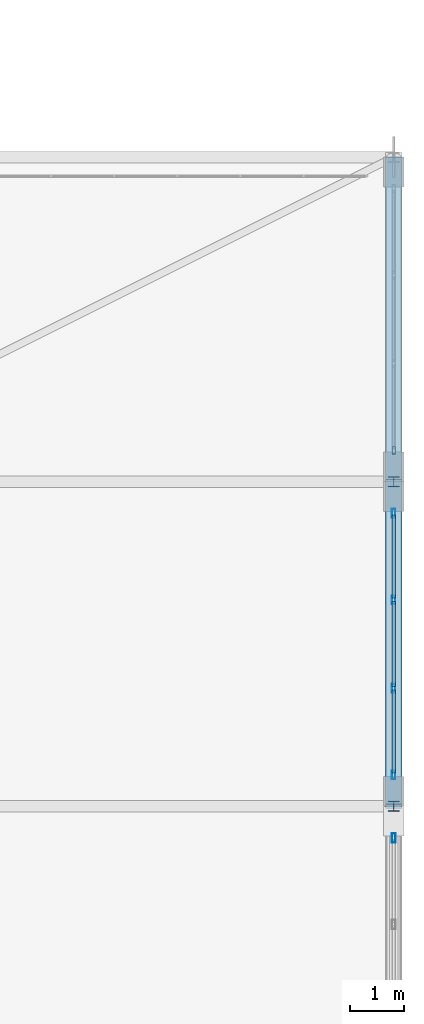
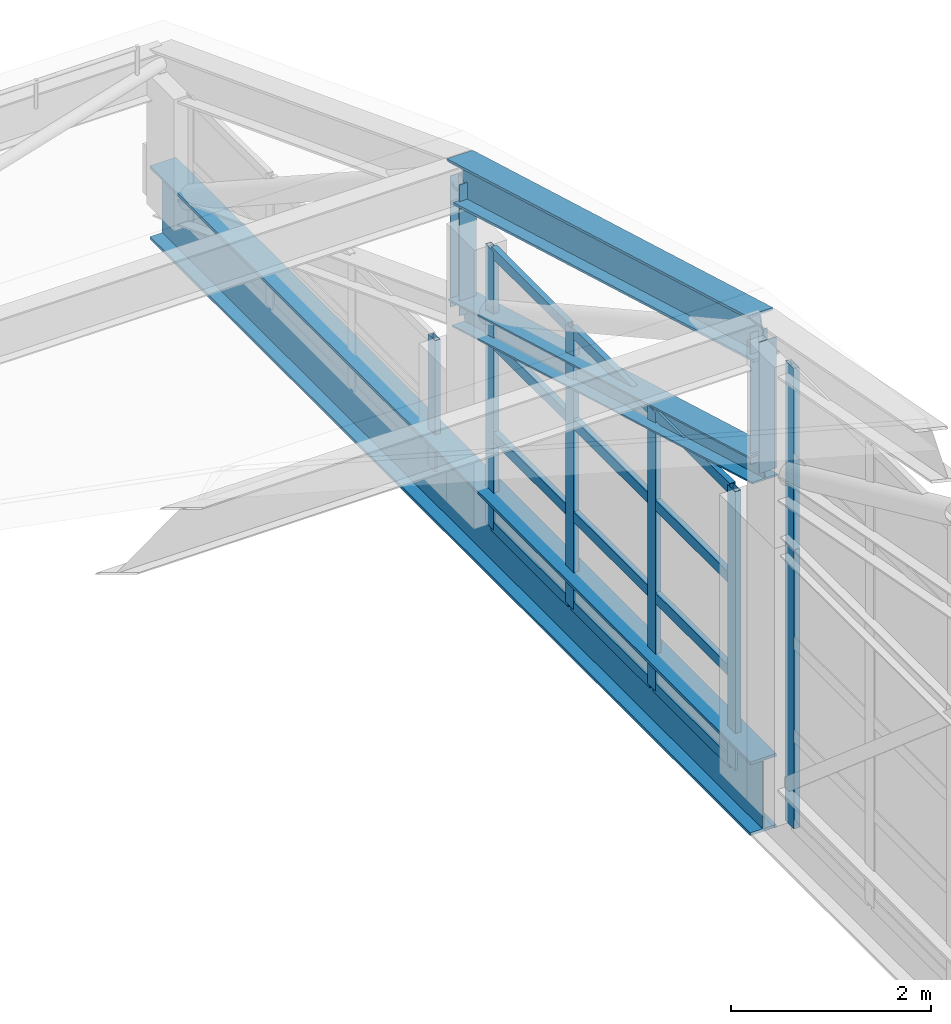
# One storey, part 156 of 204: 24 members, 4 elements without a shape of their own.
"""IFC4 building model written with IfcOpenShell, lengths in metres."""

import ifcopenshell
import ifcopenshell.guid

model = None  # the IFC model being written
_history = None  # IfcOwnerHistory: only IFC2X3 demands one
_inside = {}  # id of a spatial element -> (the spatial element, [elements in it])
_under = {}  # id of a project, library or spatial element -> (it, [spatial elements below it])
_declared = {}  # id of a project -> (the project, [libraries it declares])
_typed = {}  # id of a type object -> (the type object, [elements of that type])
_made_of = {}  # id of a material, layer set ... -> (it, [elements and type objects made of it])


def new_model(schema):
    """Start an empty IFC model of exactly this schema.

    Asked for "IFC4X3", IfcOpenShell would pick the latest addendum, in which some entities
    have other attributes; the version numbers below select the first issue.
    IFC2X3 requires an IfcOwnerHistory on every rooted entity: one is made here for all.
    """
    global model, _history
    if schema == "IFC4X3":
        model = ifcopenshell.file(schema_version=(4, 3, 0, 0))
    else:
        model = ifcopenshell.file(schema=schema)
    _inside.clear()
    _under.clear()
    _declared.clear()
    _typed.clear()
    _made_of.clear()
    _history = None
    if model.schema == "IFC2X3":
        org = make("IfcOrganization", Name="unknown")
        user = make(
            "IfcPersonAndOrganization",
            ThePerson=make("IfcPerson", FamilyName="unknown"),
            TheOrganization=org,
        )
        app = make(
            "IfcApplication",
            ApplicationDeveloper=org,
            Version="unknown",
            ApplicationFullName="unknown",
            ApplicationIdentifier="unknown",
        )
        _history = make(
            "IfcOwnerHistory",
            OwningUser=user,
            OwningApplication=app,
            ChangeAction="ADDED",
            CreationDate=0,
        )
    return model


def make(cls, **values):
    """One entity of the class cls with the attributes given. An attribute that is None is left unset."""
    return model.create_entity(
        cls, **{name: value for name, value in values.items() if value is not None}
    )


def rooted(cls, **values):
    """An entity with a GlobalId (a new one), such as an element, a storey or a relation."""
    return make(cls, GlobalId=ifcopenshell.guid.new(), OwnerHistory=_history, **values)


def si_unit(unit_type, name, prefix=None):
    """IfcSIUnit, for example si_unit("LENGTHUNIT", "METRE", prefix="MILLI")."""
    return make("IfcSIUnit", UnitType=unit_type, Prefix=prefix, Name=name)


def assignment(units):
    """IfcUnitAssignment: the units of a project."""
    return None if units is None else make("IfcUnitAssignment", Units=units)


def point(xyz):
    """IfcCartesianPoint."""
    return None if xyz is None else make("IfcCartesianPoint", Coordinates=xyz)


def direction(xyz):
    """IfcDirection."""
    return None if xyz is None else make("IfcDirection", DirectionRatios=xyz)


def frame(location, z_axis=None, x_axis=None):
    """IfcAxis2Placement3D, a coordinate frame: its origin and axes. An axis left out is left unset."""
    return make(
        "IfcAxis2Placement3D",
        Location=point(location),
        Axis=direction(z_axis),
        RefDirection=direction(x_axis),
    )


def frame_2d(location, x_axis=None):
    """IfcAxis2Placement2D, a coordinate frame in the plane: its origin and x axis."""
    return make(
        "IfcAxis2Placement2D", Location=point(location), RefDirection=direction(x_axis)
    )


def origin():
    """The frame at (0, 0, 0) with its axes left unset."""
    return frame((0.0, 0.0, 0.0))


def origin_2d():
    """The frame at (0, 0) in the plane with its x axis left unset."""
    return frame_2d((0.0, 0.0))


def place(relative_to, where):
    """IfcLocalPlacement: puts the frame where relative to a parent placement (None: the world)."""
    return make(
        "IfcLocalPlacement", PlacementRelTo=relative_to, RelativePlacement=where
    )


def context(
    kind, dimensions, precision=None, world=None, true_north=None, identifier=None
):
    """IfcGeometricRepresentationContext, for example the 3D "Model" context."""
    return make(
        "IfcGeometricRepresentationContext",
        ContextIdentifier=identifier,
        ContextType=kind,
        CoordinateSpaceDimension=dimensions,
        Precision=precision,
        WorldCoordinateSystem=world,
        TrueNorth=true_north,
    )


def subcontext(parent, identifier, kind, view, scale=None):
    """IfcGeometricRepresentationSubContext, for example "Body" below "Model"."""
    return make(
        "IfcGeometricRepresentationSubContext",
        ContextIdentifier=identifier,
        ContextType=kind,
        ParentContext=parent,
        TargetScale=scale,
        TargetView=view,
    )


def project(units=None, contexts=None):
    """IfcProject with its units and contexts."""
    return rooted(
        "IfcProject",
        Name="project",
        RepresentationContexts=contexts,
        UnitsInContext=assignment(units),
    )


def spatial(cls, under=None, at=None, **own):
    """A site, building, storey or space (cls), placed at a placement, below another one or the project."""
    s = rooted(cls, ObjectPlacement=at, **own)
    if under is not None:
        _under.setdefault(under.id(), (under, []))[1].append(s)
    return s


def profile(cls, at=None, kind="AREA", **sizes):
    """A parametric profile (cls). Its sizes go by their IFC names, for example OverallWidth=200.0."""
    return make(cls, ProfileType=kind, Position=at, **sizes)


def hollow_rectangle(**sizes):
    """IfcRectangleHollowProfileDef."""
    return profile("IfcRectangleHollowProfileDef", **sizes)


def i_section(**sizes):
    """IfcIShapeProfileDef."""
    return profile("IfcIShapeProfileDef", **sizes)


def extrude(swept, where, along, depth):
    """IfcExtrudedAreaSolid: the profile swept, set in the frame where, extruded along a direction by depth."""
    return make(
        "IfcExtrudedAreaSolid",
        SweptArea=swept,
        Position=where,
        ExtrudedDirection=direction(along),
        Depth=depth,
    )


def shape(context_of_items, identifier, shape_type, items):
    """IfcShapeRepresentation: the items that make up one representation, for example the "Body"."""
    return make(
        "IfcShapeRepresentation",
        ContextOfItems=context_of_items,
        RepresentationIdentifier=identifier,
        RepresentationType=shape_type,
        Items=items,
    )


def material(Name=None, Category=None):
    """IfcMaterial."""
    return make("IfcMaterial", Name=Name, Category=Category)


def layer(
    of_material, thickness, ventilated=None, Name=None, Category=None, Priority=None
):
    """IfcMaterialLayer: one layer of a wall or slab, of a material (None: an air gap)."""
    return make(
        "IfcMaterialLayer",
        Material=of_material,
        LayerThickness=thickness,
        IsVentilated=ventilated,
        Name=Name,
        Category=Category,
        Priority=Priority,
    )


def layer_set(layers, Name=None):
    """IfcMaterialLayerSet."""
    return make("IfcMaterialLayerSet", MaterialLayers=layers, LayerSetName=Name)


def material_profile(
    of_material, cross_section, Name=None, Category=None, Priority=None
):
    """IfcMaterialProfile: a cross section and its material."""
    return make(
        "IfcMaterialProfile",
        Name=Name,
        Material=of_material,
        Profile=cross_section,
        Priority=Priority,
        Category=Category,
    )


def profile_set(profiles, Name=None, composite=None):
    """IfcMaterialProfileSet."""
    return make(
        "IfcMaterialProfileSet",
        Name=Name,
        MaterialProfiles=profiles,
        CompositeProfile=composite,
    )


def made_of(thing, what):
    """Note that an element or type object is made of a material, layer set ...; save() writes the relation."""
    if what is not None:
        _made_of.setdefault(what.id(), (what, []))[1].append(thing)
    return thing


def type_object(cls, material=None, **own):
    """A type object (cls), such as IfcWallType, which elements share."""
    return made_of(rooted(cls, **own), material)


def element(
    cls,
    number,
    at=None,
    inside=None,
    cuts=None,
    type_object=None,
    material=None,
    context=None,
    identifier="Body",
    shape_type=None,
    held_by="IfcProductDefinitionShape",
    body=None,
    shapes=None,
    **own,
):
    """One element of the class cls, such as IfcWall. Its Tag is "e" and its number.

    at: its placement. inside: the storey or other place that contains it. cuts: it is an
    opening in that element (IfcRelVoidsElement). A single representation is given by context,
    identifier, shape_type and body (its items); several are given by shapes. held_by: the class
    of the entity that holds the representations. save() writes the other relations.
    """
    e = rooted(cls, Tag="e%d" % number, ObjectPlacement=at, **own)
    if body is not None:
        shapes = [shape(context, identifier, shape_type, body)]
    if shapes is not None:
        e.Representation = make(held_by, Representations=shapes)
    if inside is not None:
        _inside.setdefault(inside.id(), (inside, []))[1].append(e)
    if cuts is not None:
        rooted(
            "IfcRelVoidsElement", RelatingBuildingElement=cuts, RelatedOpeningElement=e
        )
    if type_object is not None:
        _typed.setdefault(type_object.id(), (type_object, []))[1].append(e)
    return made_of(e, material)


def aggregate(whole, parts):
    """IfcRelAggregates: a whole, such as a stair, and the parts it consists of."""
    return rooted("IfcRelAggregates", RelatingObject=whole, RelatedObjects=parts)


def save(model, path):
    """Write the relations noted so far, then the file.

    IfcRelAggregates (storeys below a building ...), IfcRelContainedInSpatialStructure (elements
    in a storey), IfcRelDefinesByType, IfcRelAssociatesMaterial and IfcRelDeclares: one each for
    every whole, place, type object, material and project.
    """
    for whole, parts in _under.values():
        aggregate(whole, parts)
    for where, things in _inside.values():
        rooted(
            "IfcRelContainedInSpatialStructure",
            RelatedElements=things,
            RelatingStructure=where,
        )
    for kind, things in _typed.values():
        rooted("IfcRelDefinesByType", RelatedObjects=things, RelatingType=kind)
    for what, things in _made_of.values():
        rooted("IfcRelAssociatesMaterial", RelatedObjects=things, RelatingMaterial=what)
    for by, libraries in _declared.values():
        rooted("IfcRelDeclares", RelatingContext=by, RelatedDefinitions=libraries)
    model.write(path)


model = new_model("IFC4")

# Units and contexts
model_context = context("Model", 3, precision=1e-05, world=origin(), true_north=direction((0.0, 1.0)))
body_context = subcontext(model_context, "Body", "Model", "MODEL_VIEW")
ifc_project = project(units=[si_unit("LENGTHUNIT", "METRE"), si_unit("AREAUNIT", "SQUARE_METRE"), si_unit("VOLUMEUNIT", "CUBIC_METRE"), si_unit("PLANEANGLEUNIT", "RADIAN"), si_unit("MASSUNIT", "GRAM", prefix="KILO")], contexts=[model_context])

# Site, building, storey
site_placement = place(None, origin())
site = spatial("IfcSite", under=ifc_project, at=site_placement, CompositionType="ELEMENT")
building_placement = place(site_placement, origin())
building = spatial("IfcBuilding", under=site, at=building_placement, Name="Zilviju Railside Exhibition Hall", CompositionType="ELEMENT")
storey_placement = place(building_placement, frame((0.0, 0.0, 21.0)))
storey = spatial("IfcBuildingStorey", under=building, at=storey_placement, Name="RF", CompositionType="ELEMENT", Elevation=21.0)

# Curtain wall, member
ifc_material_1 = material(Name="Thermally broken aluminium-steel triple-glazed curtain wall", Category="steel")
ifc_layer_1 = layer(ifc_material_1, 0.179931640625)
ifc_layer_set_1 = layer_set([ifc_layer_1], Name="Thermally broken aluminium-steel triple-glazed curtain wall")
curtain_wall_type_1 = type_object("IfcCurtainWallType", Name="CW-BAY-01", PredefinedType="USERDEFINED", material=ifc_layer_set_1)
curtain_wall_1_placement = place(storey_placement, origin())
curtain_wall_1 = element("IfcCurtainWall", 1, at=curtain_wall_1_placement, inside=storey, type_object=curtain_wall_type_1, Name="North Hall Arch Lower Tympanum Glazing East P9", ObjectType="GLAZED CURTAIN WALL", PredefinedType="USERDEFINED")
ifc_material_2 = material(Name="Thermally broken anodized aluminium mullion", Category="aluminium")
ifc_material_profile_1 = material_profile(ifc_material_2, hollow_rectangle(XDim=0.06005859375, YDim=0.139892578125, WallThickness=0.0048828125, at=origin_2d()), Name="MULLION 140x60x5")
ifc_profile_set_1 = profile_set([ifc_material_profile_1], Name="Thermally broken anodized aluminium mullion")
member_type_1 = type_object("IfcMemberType", Name="CWM-60x140", PredefinedType="MULLION", material=ifc_profile_set_1)
member_1_placement = place(storey_placement, frame((216.0, 132.580078125, -3.60009765625), z_axis=(0.0, 0.0, 1.0), x_axis=(1.0, 0.0, 0.0)))
member_1 = element("IfcMember", 2, at=member_1_placement, type_object=member_type_1, Name="CW-01 mullion 4", PredefinedType="MULLION", context=body_context, shape_type="SweptSolid", body=[
    extrude(hollow_rectangle(XDim=0.06005859375, YDim=0.139892578125, WallThickness=0.0048828125, at=origin_2d()), origin(), (0.0, 0.0, 1.0), 1.60009765625),
])
aggregate(curtain_wall_1, [member_1])

# Curtain wall, members
ifc_layer_2 = layer(ifc_material_1, 0.179931640625)
ifc_layer_set_2 = layer_set([ifc_layer_2], Name="Thermally broken aluminium-steel triple-glazed curtain wall")
curtain_wall_type_2 = type_object("IfcCurtainWallType", Name="CW-BAY-20", PredefinedType="USERDEFINED", material=ifc_layer_set_2)
curtain_wall_2_placement = place(storey_placement, origin())
curtain_wall_2 = element("IfcCurtainWall", 3, at=curtain_wall_2_placement, inside=storey, type_object=curtain_wall_type_2, Name="North Hall Arch Lower Tympanum Glazing East P8", ObjectType="GLAZED CURTAIN WALL", PredefinedType="USERDEFINED")
ifc_material_profile_2 = material_profile(ifc_material_2, hollow_rectangle(XDim=0.06494140625, YDim=0.159912109375, WallThickness=0.0048828125, at=origin_2d()), Name="MULLION 160x65x5")
ifc_profile_set_2 = profile_set([ifc_material_profile_2], Name="Thermally broken anodized aluminium mullion")
member_type_2 = type_object("IfcMemberType", Name="CWM-65x160", PredefinedType="MULLION", material=ifc_profile_set_2)
member_2_placement = place(storey_placement, frame((216.0, 131.41748046875, -3.60009765625), z_axis=(0.0, 0.0, 1.0), x_axis=(1.0, 0.0, 0.0)))
member_2 = element("IfcMember", 4, at=member_2_placement, type_object=member_type_2, Name="CW-20 mullion 1", PredefinedType="MULLION", context=body_context, shape_type="SweptSolid", body=[
    extrude(hollow_rectangle(XDim=0.06494140625, YDim=0.159912109375, WallThickness=0.0048828125, at=origin_2d()), origin(), (0.0, 0.0, 1.0), 3.400146484375),
])
member_3_placement = place(storey_placement, frame((216.0, 129.816650390625, -3.60009765625), z_axis=(0.0, 0.0, 1.0), x_axis=(1.0, 0.0, 0.0)))
member_3 = element("IfcMember", 5, at=member_3_placement, type_object=member_type_2, Name="CW-20 mullion 2", PredefinedType="MULLION", context=body_context, shape_type="SweptSolid", body=[
    extrude(hollow_rectangle(XDim=0.06494140625, YDim=0.159912109375, WallThickness=0.0048828125, at=origin_2d()), origin(), (0.0, 0.0, 1.0), 3.400146484375),
])
member_4_placement = place(storey_placement, frame((216.0, 128.183349609375, -3.60009765625), z_axis=(0.0, 0.0, 1.0), x_axis=(1.0, 0.0, 0.0)))
member_4 = element("IfcMember", 6, at=member_4_placement, type_object=member_type_2, Name="CW-20 mullion 3", PredefinedType="MULLION", context=body_context, shape_type="SweptSolid", body=[
    extrude(hollow_rectangle(XDim=0.06494140625, YDim=0.159912109375, WallThickness=0.0048828125, at=origin_2d()), origin(), (0.0, 0.0, 1.0), 3.400146484375),
])
member_5_placement = place(storey_placement, frame((216.0, 126.58251953125, -3.60009765625), z_axis=(0.0, 0.0, 1.0), x_axis=(1.0, 0.0, 0.0)))
member_5 = element("IfcMember", 7, at=member_5_placement, type_object=member_type_2, Name="CW-20 mullion 4", PredefinedType="MULLION", context=body_context, shape_type="SweptSolid", body=[
    extrude(hollow_rectangle(XDim=0.06494140625, YDim=0.159912109375, WallThickness=0.0048828125, at=origin_2d()), origin(), (0.0, 0.0, 1.0), 3.400146484375),
])

# Curtain wall, member
ifc_layer_3 = layer(ifc_material_1, 0.179931640625)
ifc_layer_set_3 = layer_set([ifc_layer_3], Name="Thermally broken aluminium-steel triple-glazed curtain wall")
curtain_wall_type_3 = type_object("IfcCurtainWallType", Name="CW-BAY-06", PredefinedType="USERDEFINED", material=ifc_layer_set_3)
curtain_wall_3_placement = place(storey_placement, origin())
curtain_wall_3 = element("IfcCurtainWall", 8, at=curtain_wall_3_placement, inside=storey, type_object=curtain_wall_type_3, Name="North Hall Crown Arch Tympanum Glazing East P7", ObjectType="GLAZED CURTAIN WALL", PredefinedType="USERDEFINED")
member_6_placement = place(storey_placement, frame((216.0, 125.41748046875, -0.199951171875), z_axis=(0.0, 0.0, 1.0), x_axis=(1.0, 0.0, 0.0)))
member_6 = element("IfcMember", 9, at=member_6_placement, type_object=member_type_2, Name="CW-06 mullion 1", PredefinedType="MULLION", context=body_context, shape_type="SweptSolid", body=[
    extrude(hollow_rectangle(XDim=0.06494140625, YDim=0.159912109375, WallThickness=0.0048828125, at=origin_2d()), origin(), (0.0, 0.0, 1.0), 2.209716796875),
])
aggregate(curtain_wall_3, [member_6])

ifc_layer_4 = layer(ifc_material_1, 0.179931640625)
ifc_layer_set_4 = layer_set([ifc_layer_4], Name="Thermally broken aluminium-steel triple-glazed curtain wall")
curtain_wall_type_4 = type_object("IfcCurtainWallType", Name="CW-BAY-19", PredefinedType="USERDEFINED", material=ifc_layer_set_4)
curtain_wall_4_placement = place(storey_placement, origin())
curtain_wall_4 = element("IfcCurtainWall", 10, at=curtain_wall_4_placement, inside=storey, type_object=curtain_wall_type_4, Name="North Hall Arch Lower Tympanum Glazing East P7", ObjectType="GLAZED CURTAIN WALL", PredefinedType="USERDEFINED")
ifc_material_profile_3 = material_profile(ifc_material_2, hollow_rectangle(XDim=0.070068359375, YDim=0.179931640625, WallThickness=0.0048828125, at=origin_2d()), Name="MULLION 180x70x5")
ifc_profile_set_3 = profile_set([ifc_material_profile_3], Name="Thermally broken anodized aluminium mullion")
member_type_3 = type_object("IfcMemberType", Name="CWM-70x180", PredefinedType="MULLION", material=ifc_profile_set_3)
member_7_placement = place(storey_placement, frame((216.0, 125.4150390625, -3.60009765625), z_axis=(0.0, 0.0, 1.0), x_axis=(1.0, 0.0, 0.0)))
member_7 = element("IfcMember", 11, at=member_7_placement, type_object=member_type_3, Name="CW-19 mullion 1", PredefinedType="MULLION", context=body_context, shape_type="SweptSolid", body=[
    extrude(hollow_rectangle(XDim=0.070068359375, YDim=0.179931640625, WallThickness=0.0048828125, at=origin_2d()), origin(), (0.0, 0.0, 1.0), 3.400146484375),
])
aggregate(curtain_wall_4, [member_7])

# Member
ifc_material_3 = material(Name="Thermally broken anodized aluminium transom", Category="aluminium")
ifc_material_profile_4 = material_profile(ifc_material_3, hollow_rectangle(XDim=0.06494140625, YDim=0.1298828125, WallThickness=0.0048828125, at=origin_2d()), Name="TRANSOM 130x65x5")
ifc_profile_set_4 = profile_set([ifc_material_profile_4], Name="Thermally broken anodized aluminium transom")
member_type_4 = type_object("IfcMemberType", Name="CWT-65x130", PredefinedType="USERDEFINED", material=ifc_profile_set_4)
member_8_placement = place(storey_placement, frame((216.0, 131.385009765625, -3.5673828125), z_axis=(0.0, -1.0, 0.0), x_axis=(1.0, 0.0, 0.0)))
member_8 = element("IfcMember", 12, at=member_8_placement, type_object=member_type_4, Name="CW-20 transom 1.1", ObjectType="TRANSOM", PredefinedType="USERDEFINED", context=body_context, shape_type="SweptSolid", body=[
    extrude(hollow_rectangle(XDim=0.06494140625, YDim=0.1298828125, WallThickness=0.0048828125, at=origin_2d()), origin(), (0.0, 0.0, 1.0), 1.535888671875),
])

member_9_placement = place(storey_placement, frame((216.0, 131.385009765625, -2.467041015625), z_axis=(0.0, -1.0, 0.0), x_axis=(1.0, 0.0, 0.0)))
member_9 = element("IfcMember", 13, at=member_9_placement, type_object=member_type_4, Name="CW-20 transom 1.2", ObjectType="TRANSOM", PredefinedType="USERDEFINED", context=body_context, shape_type="SweptSolid", body=[
    extrude(hollow_rectangle(XDim=0.06494140625, YDim=0.1298828125, WallThickness=0.0048828125, at=origin_2d()), origin(), (0.0, 0.0, 1.0), 1.535888671875),
])

member_10_placement = place(storey_placement, frame((216.0, 131.385009765625, -1.3330078125), z_axis=(0.0, -1.0, 0.0), x_axis=(1.0, 0.0, 0.0)))
member_10 = element("IfcMember", 14, at=member_10_placement, type_object=member_type_4, Name="CW-20 transom 1.3", ObjectType="TRANSOM", PredefinedType="USERDEFINED", context=body_context, shape_type="SweptSolid", body=[
    extrude(hollow_rectangle(XDim=0.06494140625, YDim=0.1298828125, WallThickness=0.0048828125, at=origin_2d()), origin(), (0.0, 0.0, 1.0), 1.535888671875),
])

member_11_placement = place(storey_placement, frame((216.0, 131.385009765625, -0.232421875), z_axis=(0.0, -1.0, 0.0), x_axis=(1.0, 0.0, 0.0)))
member_11 = element("IfcMember", 15, at=member_11_placement, type_object=member_type_4, Name="CW-20 transom 1.4", ObjectType="TRANSOM", PredefinedType="USERDEFINED", context=body_context, shape_type="SweptSolid", body=[
    extrude(hollow_rectangle(XDim=0.06494140625, YDim=0.1298828125, WallThickness=0.0048828125, at=origin_2d()), origin(), (0.0, 0.0, 1.0), 1.535888671875),
])

member_12_placement = place(storey_placement, frame((216.0, 129.7841796875, -3.5673828125), z_axis=(0.0, -1.0, 0.0), x_axis=(1.0, 0.0, 0.0)))
member_12 = element("IfcMember", 16, at=member_12_placement, type_object=member_type_4, Name="CW-20 transom 2.1", ObjectType="TRANSOM", PredefinedType="USERDEFINED", context=body_context, shape_type="SweptSolid", body=[
    extrude(hollow_rectangle(XDim=0.06494140625, YDim=0.1298828125, WallThickness=0.0048828125, at=origin_2d()), origin(), (0.0, 0.0, 1.0), 1.568359375),
])

member_13_placement = place(storey_placement, frame((216.0, 129.7841796875, -2.467041015625), z_axis=(0.0, -1.0, 0.0), x_axis=(1.0, 0.0, 0.0)))
member_13 = element("IfcMember", 17, at=member_13_placement, type_object=member_type_4, Name="CW-20 transom 2.2", ObjectType="TRANSOM", PredefinedType="USERDEFINED", context=body_context, shape_type="SweptSolid", body=[
    extrude(hollow_rectangle(XDim=0.06494140625, YDim=0.1298828125, WallThickness=0.0048828125, at=origin_2d()), origin(), (0.0, 0.0, 1.0), 1.568359375),
])

member_14_placement = place(storey_placement, frame((216.0, 129.7841796875, -1.3330078125), z_axis=(0.0, -1.0, 0.0), x_axis=(1.0, 0.0, 0.0)))
member_14 = element("IfcMember", 18, at=member_14_placement, type_object=member_type_4, Name="CW-20 transom 2.3", ObjectType="TRANSOM", PredefinedType="USERDEFINED", context=body_context, shape_type="SweptSolid", body=[
    extrude(hollow_rectangle(XDim=0.06494140625, YDim=0.1298828125, WallThickness=0.0048828125, at=origin_2d()), origin(), (0.0, 0.0, 1.0), 1.568359375),
])

member_15_placement = place(storey_placement, frame((216.0, 129.7841796875, -0.232421875), z_axis=(0.0, -1.0, 0.0), x_axis=(1.0, 0.0, 0.0)))
member_15 = element("IfcMember", 19, at=member_15_placement, type_object=member_type_4, Name="CW-20 transom 2.4", ObjectType="TRANSOM", PredefinedType="USERDEFINED", context=body_context, shape_type="SweptSolid", body=[
    extrude(hollow_rectangle(XDim=0.06494140625, YDim=0.1298828125, WallThickness=0.0048828125, at=origin_2d()), origin(), (0.0, 0.0, 1.0), 1.568359375),
])

member_16_placement = place(storey_placement, frame((216.0, 128.15087890625, -3.5673828125), z_axis=(0.0, -1.0, 0.0), x_axis=(1.0, 0.0, 0.0)))
member_16 = element("IfcMember", 20, at=member_16_placement, type_object=member_type_4, Name="CW-20 transom 3.1", ObjectType="TRANSOM", PredefinedType="USERDEFINED", context=body_context, shape_type="SweptSolid", body=[
    extrude(hollow_rectangle(XDim=0.06494140625, YDim=0.1298828125, WallThickness=0.0048828125, at=origin_2d()), origin(), (0.0, 0.0, 1.0), 1.535888671875),
])

member_17_placement = place(storey_placement, frame((216.0, 128.15087890625, -2.467041015625), z_axis=(0.0, -1.0, 0.0), x_axis=(1.0, 0.0, 0.0)))
member_17 = element("IfcMember", 21, at=member_17_placement, type_object=member_type_4, Name="CW-20 transom 3.2", ObjectType="TRANSOM", PredefinedType="USERDEFINED", context=body_context, shape_type="SweptSolid", body=[
    extrude(hollow_rectangle(XDim=0.06494140625, YDim=0.1298828125, WallThickness=0.0048828125, at=origin_2d()), origin(), (0.0, 0.0, 1.0), 1.535888671875),
])

member_18_placement = place(storey_placement, frame((216.0, 128.15087890625, -1.3330078125), z_axis=(0.0, -1.0, 0.0), x_axis=(1.0, 0.0, 0.0)))
member_18 = element("IfcMember", 22, at=member_18_placement, type_object=member_type_4, Name="CW-20 transom 3.3", ObjectType="TRANSOM", PredefinedType="USERDEFINED", context=body_context, shape_type="SweptSolid", body=[
    extrude(hollow_rectangle(XDim=0.06494140625, YDim=0.1298828125, WallThickness=0.0048828125, at=origin_2d()), origin(), (0.0, 0.0, 1.0), 1.535888671875),
])

member_19_placement = place(storey_placement, frame((216.0, 128.15087890625, -0.232421875), z_axis=(0.0, -1.0, 0.0), x_axis=(1.0, 0.0, 0.0)))
member_19 = element("IfcMember", 23, at=member_19_placement, type_object=member_type_4, Name="CW-20 transom 3.4", ObjectType="TRANSOM", PredefinedType="USERDEFINED", context=body_context, shape_type="SweptSolid", body=[
    extrude(hollow_rectangle(XDim=0.06494140625, YDim=0.1298828125, WallThickness=0.0048828125, at=origin_2d()), origin(), (0.0, 0.0, 1.0), 1.535888671875),
])

aggregate(curtain_wall_2, [member_2, member_3, member_4, member_5, member_8, member_9, member_10, member_11, member_12, member_13, member_14, member_15, member_16, member_17, member_18, member_19])

# Members
ifc_material_4 = material(Name="Steel S355ML", Category="steel")
ifc_material_profile_5 = material_profile(ifc_material_4, i_section(OverallWidth=0.300048828125, OverallDepth=0.300048828125, WebThickness=0.010986328125, FlangeThickness=0.01904296875, at=origin_2d()), Name="HEB 300")
ifc_profile_set_5 = profile_set([ifc_material_profile_5], Name="Steel S355ML")
member_type_5 = type_object("IfcMemberType", Name="TR-CH-HEB300", PredefinedType="CHORD", material=ifc_profile_set_5)
member_20_placement = place(storey_placement, frame((216.0, 126.0, 0.409912109375), z_axis=(0.0, 0.961345133658, -0.275346207512), x_axis=(-1.0, 0.0, 0.0)))
element("IfcMember", 24, at=member_20_placement, inside=storey, type_object=member_type_5, Name="V2 Parabolic Arch Bottom Chord X=216.0 P8", PredefinedType="CHORD", context=body_context, shape_type="SweptSolid", body=[
    extrude(i_section(OverallWidth=0.300048828125, OverallDepth=0.300048828125, WebThickness=0.010986328125, FlangeThickness=0.01904296875, at=origin_2d()), origin(), (0.0, 0.0, 1.0), 6.2412109375),
])
ifc_material_profile_6 = material_profile(ifc_material_4, i_section(OverallWidth=0.300048828125, OverallDepth=0.5, WebThickness=0.014404296875, FlangeThickness=0.028076171875, at=origin_2d()), Name="HEB 500")
ifc_profile_set_6 = profile_set([ifc_material_profile_6], Name="Steel S355ML")
member_type_6 = type_object("IfcMemberType", Name="TR-CH-HEB500-ML", PredefinedType="CHORD", material=ifc_profile_set_6)
member_21_placement = place(storey_placement, frame((216.0, 126.0, 2.009765625), z_axis=(0.0, 0.961345133658, -0.275346207512), x_axis=(-1.0, 0.0, 0.0)))
element("IfcMember", 25, at=member_21_placement, inside=storey, type_object=member_type_6, Name="V2 Parabolic Arch Top Chord X=216.0 P8", PredefinedType="CHORD", context=body_context, shape_type="SweptSolid", body=[
    extrude(i_section(OverallWidth=0.300048828125, OverallDepth=0.5, WebThickness=0.014404296875, FlangeThickness=0.028076171875, at=origin_2d()), origin(), (0.0, 0.0, 1.0), 6.2412109375),
])
ifc_material_profile_7 = material_profile(ifc_material_4, i_section(OverallWidth=0.199951171875, OverallDepth=0.18994140625, WebThickness=0.006591796875, FlangeThickness=0.010009765625, at=origin_2d()), Name="HEA 200")
ifc_profile_set_7 = profile_set([ifc_material_profile_7], Name="Steel S355ML")
member_type_7 = type_object("IfcMemberType", Name="TR-POST-HEA200", PredefinedType="POST", material=ifc_profile_set_7)
for number, where, z_axis, x_axis, name in (
    (26, (216.0, 126.0, 0.409912109375), (0.0, 0.0, 1.0), (1.0, 0.0, 0.0), "V2 Parabolic Arch Web Post X=216.0 N7"),
    (27, (216.0, 132.0, -1.30859375), (0.0, 0.0, 1.0), (1.0, 0.0, 0.0), "V2 Parabolic Arch Web Post X=216.0 N8"),
):
    element("IfcMember", number, at=place(storey_placement, frame(where, z_axis=z_axis, x_axis=x_axis)), inside=storey, type_object=member_type_7, Name=name, PredefinedType="POST", context=body_context, shape_type="SweptSolid", body=[
        extrude(i_section(OverallWidth=0.199951171875, OverallDepth=0.18994140625, WebThickness=0.006591796875, FlangeThickness=0.010009765625, at=origin_2d()), origin(), (0.0, 0.0, 1.0), 1.599853515625),
    ])
ifc_material_5 = material(Name="Steel S355J2", Category="steel")
ifc_material_profile_8 = material_profile(ifc_material_5, i_section(OverallWidth=0.300048828125, OverallDepth=0.89990234375, WebThickness=0.0185546875, FlangeThickness=0.034912109375, at=origin_2d()), Name="HEB 900")
ifc_profile_set_8 = profile_set([ifc_material_profile_8], Name="Steel S355J2")
member_type_8 = type_object("IfcMemberType", Name="TR-TIE-HEB900", PredefinedType="CHORD", material=ifc_profile_set_8)
member_22_placement = place(storey_placement, frame((216.0, 126.0, -3.60009765625), z_axis=(0.0, 1.0, 0.0), x_axis=(-1.0, 0.0, 0.0)))
element("IfcMember", 28, at=member_22_placement, inside=storey, type_object=member_type_8, Name="V2 Arch Tie Member X=216.0", PredefinedType="CHORD", context=body_context, shape_type="SweptSolid", body=[
    extrude(i_section(OverallWidth=0.300048828125, OverallDepth=0.89990234375, WebThickness=0.0185546875, FlangeThickness=0.034912109375, at=origin_2d()), origin(), (0.0, 0.0, 1.0), 12.0),
])

save(model, "model.ifc")
